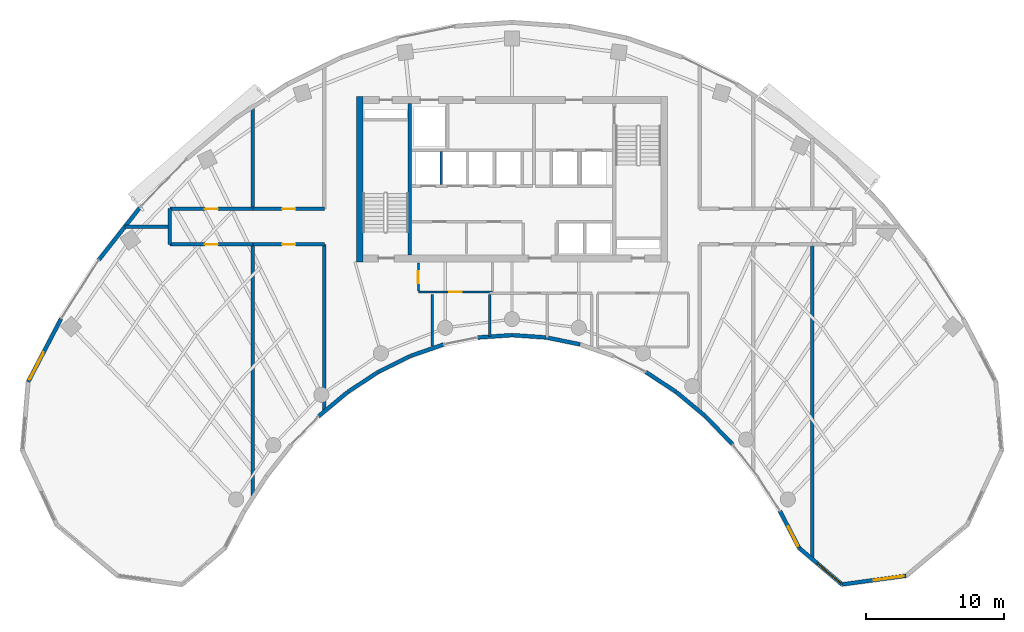
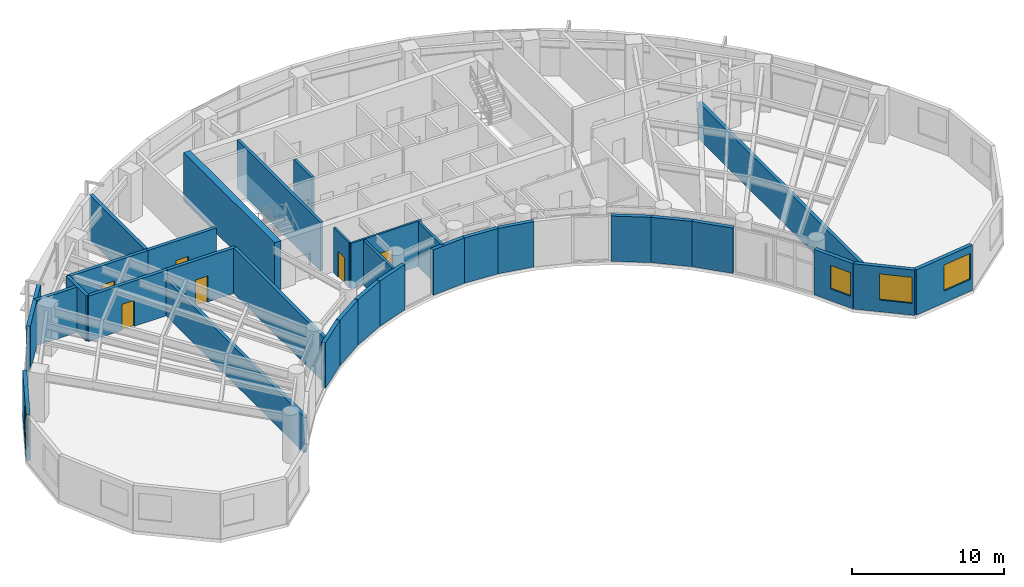
# One storey, part 8 of 13: 32 walls, 6 doors, 4 windows, 10 openings.
"""IFC4 building model written with IfcOpenShell, lengths in metres."""

from ifc_helpers import new_model, si_unit, direction, frame, frame_2d, origin, place, context, subcontext, project, spatial, rectangle, extrude, source, transform, mapped, material, layer, layer_set, type_object, type_shapes, element, fill, save


model = new_model("IFC4")

# Units and contexts
model_context = context("Model", 3, precision=1e-05, world=origin(), true_north=direction((0.0, 1.0)))
body_context = subcontext(model_context, "Body", "Model", "MODEL_VIEW")
ifc_project = project(units=[si_unit("LENGTHUNIT", "METRE"), si_unit("AREAUNIT", "SQUARE_METRE"), si_unit("VOLUMEUNIT", "CUBIC_METRE"), si_unit("PLANEANGLEUNIT", "RADIAN"), si_unit("MASSUNIT", "GRAM", prefix="KILO")], contexts=[model_context])

# Site, building, storey
site_placement = place(None, origin())
site = spatial("IfcSite", under=ifc_project, at=site_placement, CompositionType="ELEMENT")
building_placement = place(site_placement, origin())
building = spatial("IfcBuilding", under=site, at=building_placement, Name="Breltana Convention Tower", CompositionType="ELEMENT")
storey_placement = place(building_placement, frame((0.0, 0.0, 181.800048828125)))
storey = spatial("IfcBuildingStorey", under=building, at=storey_placement, Name="L44", CompositionType="ELEMENT", Elevation=181.800048828125)

# Walls
ifc_material_1 = material(Name="Concrete C60/75", Category="concrete")
ifc_layer_1 = layer(ifc_material_1, 0.5, Name="Concrete C60/75")
ifc_layer_set_1 = layer_set([ifc_layer_1], Name="Concrete C60/75")
wall_type_1 = type_object("IfcWallType", Name="SW-CORE-500", PredefinedType="SHEAR", material=ifc_layer_set_1)
shared_shape_1 = source(origin(), body_context, "Body", "SweptSolid", [
    extrude(rectangle(XDim=12.0, YDim=0.5, at=frame_2d((6.0, 0.0))), origin(), (0.0, 0.0, 1.0), 3.89990234375),
])
wall_1_placement = place(storey_placement, frame((36.949951171875, 60.199951171875, 0.0), z_axis=(0.0, 0.0, 1.0), x_axis=(0.0, 1.0, 0.0)))
element("IfcWall", 1, at=wall_1_placement, inside=storey, type_object=wall_type_1, Name="L44 West Core Shear Wall", PredefinedType="SHEAR", context=body_context, shape_type="MappedRepresentation", body=[
    mapped(shared_shape_1, transform((0.0, 0.0, 0.0), scale=1.0)),
])
ifc_material_2 = material(Name="Concrete C50/60", Category="concrete")
ifc_layer_2 = layer(ifc_material_2, 0.39990234375, Name="Concrete C50/60")
ifc_layer_set_2 = layer_set([ifc_layer_2], Name="Concrete C50/60")
wall_type_2 = type_object("IfcWallType", Name="SW-CORE-400", PredefinedType="SHEAR", material=ifc_layer_set_2)
shared_shape_2 = source(origin(), body_context, "Body", "SweptSolid", [
    extrude(rectangle(XDim=11.0, YDim=0.219970703125, at=frame_2d((5.5, 0.0))), origin(), (0.0, 0.0, 1.0), 3.89990234375),
])
wall_2_placement = place(storey_placement, frame((40.580078125, 60.699951171875, 0.0), z_axis=(0.0, 0.0, 1.0), x_axis=(0.0, 1.0, 0.0)))
element("IfcWall", 2, at=wall_2_placement, inside=storey, type_object=wall_type_2, Name="L44 Core West Stair Spine Wall", PredefinedType="SHEAR", context=body_context, shape_type="MappedRepresentation", body=[
    mapped(shared_shape_2, transform((0.0, 0.0, 0.0), scale=1.0)),
])

# Wall, opening, window
ifc_material_3 = material(Name="Limestone Buff Insulated Wall", Category="masonry")
ifc_layer_3 = layer(ifc_material_3, 0.280029296875, Name="Limestone Buff Insulated Wall")
ifc_layer_set_3 = layer_set([ifc_layer_3], Name="Limestone Buff Insulated Wall")
wall_type_3 = type_object("IfcWallType", Name="WL-EXT-NOSE-280", PredefinedType="SOLIDWALL", material=ifc_layer_set_3)
shared_shape_3 = source(origin(), body_context, "Body", "SweptSolid", [
    extrude(rectangle(XDim=4.680419921875, YDim=0.280029296875, at=frame_2d((2.34033203125, 0.0))), origin(), (0.0, 0.0, 1.0), 3.64990234375),
])
wall_3_placement = place(storey_placement, frame((76.594482421875, 37.41650390625, 0.0), z_axis=(0.0, 0.0, 1.0), x_axis=(-0.990931146435, -0.134370618162, 0.0)))
wall_3 = element("IfcWall", 3, at=wall_3_placement, inside=storey, type_object=wall_type_3, Name="L44 curved limestone nose wall E4", PredefinedType="SOLIDWALL", context=body_context, shape_type="MappedRepresentation", body=[
    mapped(shared_shape_3, transform((0.0, 0.0, 0.0), scale=1.0)),
])
opening_1_placement = place(wall_3_placement, frame((0.159912109375, 0.0, 0.949951171875)))
opening_1 = element("IfcOpeningElement", 4, at=opening_1_placement, cuts=wall_3, Name="Opening W-03", PredefinedType="OPENING", context=body_context, shape_type="SweptSolid", body=[
    extrude(rectangle(XDim=2.199951171875, YDim=2.10009765625, at=frame_2d((1.10009765625, 1.050048828125))), frame((0.0, 0.14990234375, 0.0), z_axis=(0.0, -1.0, 0.0), x_axis=(1.0, 0.0, 0.0)), (0.0, 0.0, 1.0), 0.300048828125),
])
ifc_material_4 = material(Name="Glass Low-E Insulated Window", Category="glass")
window_type_1 = type_object("IfcWindowType", Name="WN-NOSE-2200X2100", PartitioningType="TRIPLE_PANEL_VERTICAL", PredefinedType="WINDOW", material=ifc_material_4)
shared_shape_4 = source(origin(), body_context, "Body", "SweptSolid", [
    extrude(rectangle(XDim=2.199951171875, YDim=2.10009765625, at=frame_2d((1.10009765625, 1.050048828125))), frame((0.0, 0.030029296875, 0.0), z_axis=(0.0, -1.0, 0.0), x_axis=(1.0, 0.0, 0.0)), (0.0, 0.0, 1.0), 0.06005859375),
])
type_shapes(window_type_1, [shared_shape_4])
window_1_placement = place(opening_1_placement, origin())
window_1 = element("IfcWindow", 5, at=window_1_placement, inside=storey, type_object=window_type_1, Name="L44 nose window E4", OverallHeight=2.10009765625, OverallWidth=2.199951171875, PartitioningType="TRIPLE_PANEL_VERTICAL", PredefinedType="WINDOW", context=body_context, shape_type="MappedRepresentation", body=[
    mapped(shared_shape_4, transform((0.0, 0.0, 0.0), scale=1.0)),
])
fill(opening_1, window_1)

shared_shape_5 = source(origin(), body_context, "Body", "SweptSolid", [
    extrude(rectangle(XDim=4.095947265625, YDim=0.280029296875, at=frame_2d((2.0478515625, 0.0))), origin(), (0.0, 0.0, 1.0), 3.64990234375),
])
wall_4_placement = place(storey_placement, frame((71.95654296875, 36.78759765625, 0.0), z_axis=(0.0, 0.0, 1.0), x_axis=(-0.761926081737, 0.647663991564, 0.0)))
wall_4 = element("IfcWall", 6, at=wall_4_placement, inside=storey, type_object=wall_type_3, Name="L44 curved limestone nose wall E5", PredefinedType="SOLIDWALL", context=body_context, shape_type="MappedRepresentation", body=[
    mapped(shared_shape_5, transform((0.0, 0.0, 0.0), scale=1.0)),
])
opening_2_placement = place(wall_4_placement, frame((0.159912109375, 0.0, 0.949951171875)))
opening_2 = element("IfcOpeningElement", 7, at=opening_2_placement, cuts=wall_4, Name="Opening W-03", PredefinedType="OPENING", context=body_context, shape_type="SweptSolid", body=[
    extrude(rectangle(XDim=2.199951171875, YDim=2.10009765625, at=frame_2d((1.10009765625, 1.050048828125))), frame((0.0, 0.14990234375, 0.0), z_axis=(0.0, -1.0, 0.0), x_axis=(1.0, 0.0, 0.0)), (0.0, 0.0, 1.0), 0.300048828125),
])
window_2_placement = place(opening_2_placement, origin())
window_2 = element("IfcWindow", 8, at=window_2_placement, inside=storey, type_object=window_type_1, Name="L44 nose window E5", OverallHeight=2.10009765625, OverallWidth=2.199951171875, PartitioningType="TRIPLE_PANEL_VERTICAL", PredefinedType="WINDOW", context=body_context, shape_type="MappedRepresentation", body=[
    mapped(shared_shape_4, transform((0.0, 0.0, 0.0), scale=1.0)),
])
fill(opening_2, window_2)

shared_shape_6 = source(origin(), body_context, "Body", "SweptSolid", [
    extrude(rectangle(XDim=3.02392578125, YDim=0.280029296875, at=frame_2d((1.511962890625, 0.0))), origin(), (0.0, 0.0, 1.0), 3.64990234375),
])
wall_5_placement = place(storey_placement, frame((68.835693359375, 39.4404296875, 0.0), z_axis=(0.0, 0.0, 1.0), x_axis=(-0.461718746531, 0.887026380161, 0.0)))
wall_5 = element("IfcWall", 9, at=wall_5_placement, inside=storey, type_object=wall_type_3, Name="L44 curved limestone nose wall E6", PredefinedType="SOLIDWALL", context=body_context, shape_type="MappedRepresentation", body=[
    mapped(shared_shape_6, transform((0.0, 0.0, 0.0), scale=1.0)),
])
opening_3_placement = place(wall_5_placement, frame((0.159912109375, 0.0, 0.949951171875)))
opening_3 = element("IfcOpeningElement", 10, at=opening_3_placement, cuts=wall_5, Name="Opening W-04", PredefinedType="OPENING", context=body_context, shape_type="SweptSolid", body=[
    extrude(rectangle(XDim=1.60009765625, YDim=1.89990234375, at=frame_2d((0.800048828125, 0.949951171875))), frame((0.0, 0.14990234375, 0.0), z_axis=(0.0, -1.0, 0.0), x_axis=(1.0, 0.0, 0.0)), (0.0, 0.0, 1.0), 0.300048828125),
])
window_type_2 = type_object("IfcWindowType", Name="WN-NOSE-1600X1900", PartitioningType="SINGLE_PANEL", PredefinedType="WINDOW", material=ifc_material_4)
shared_shape_7 = source(origin(), body_context, "Body", "SweptSolid", [
    extrude(rectangle(XDim=1.60009765625, YDim=1.89990234375, at=frame_2d((0.800048828125, 0.949951171875))), frame((0.0, 0.030029296875, 0.0), z_axis=(0.0, -1.0, 0.0), x_axis=(1.0, 0.0, 0.0)), (0.0, 0.0, 1.0), 0.06005859375),
])
type_shapes(window_type_2, [shared_shape_7])
window_3_placement = place(opening_3_placement, origin())
window_3 = element("IfcWindow", 11, at=window_3_placement, inside=storey, type_object=window_type_2, Name="L44 nose window E6", OverallHeight=1.89990234375, OverallWidth=1.60009765625, PartitioningType="SINGLE_PANEL", PredefinedType="WINDOW", context=body_context, shape_type="MappedRepresentation", body=[
    mapped(shared_shape_7, transform((0.0, 0.0, 0.0), scale=1.0)),
])
fill(opening_3, window_3)

# Walls
shared_shape_8 = source(origin(), body_context, "Body", "SweptSolid", [
    extrude(rectangle(XDim=2.812255859375, YDim=0.280029296875, at=frame_2d((1.40625, 0.0))), origin(), (0.0, 0.0, 1.0), 3.64990234375),
])
wall_6_placement = place(storey_placement, frame((64.00830078125, 46.9501953125, 0.0), z_axis=(0.0, 0.0, 1.0), x_axis=(-0.694583668785, 0.719411931411, 0.0)))
element("IfcWall", 12, at=wall_6_placement, inside=storey, type_object=wall_type_3, Name="L44 curved limestone nose wall E7", PredefinedType="SOLIDWALL", context=body_context, shape_type="MappedRepresentation", body=[
    mapped(shared_shape_8, transform((0.0, 0.0, 0.0), scale=1.0)),
])
shared_shape_9 = source(origin(), body_context, "Body", "SweptSolid", [
    extrude(rectangle(XDim=2.7294921875, YDim=0.280029296875, at=frame_2d((1.36474609375, 0.0))), origin(), (0.0, 0.0, 1.0), 3.64990234375),
])
for number, where, z_axis, x_axis, name in (
    (13, (62.040771484375, 48.986572265625, 0.0), (0.0, 0.0, 1.0), (-0.767957284255, 0.640501061326, 0.0), "L44 curved limestone nose wall E8"),
    (14, (36.055419921875, 50.73486328125, 0.0), (0.0, 0.0, 1.0), (-0.767957284255, -0.640501061326, 0.0), "L44 curved limestone nose wall E17"),
):
    element("IfcWall", number, at=place(storey_placement, frame(where, z_axis=z_axis, x_axis=x_axis)), inside=storey, type_object=wall_type_3, Name=name, PredefinedType="SOLIDWALL", context=body_context, shape_type="MappedRepresentation", body=[
        mapped(shared_shape_9, transform((0.0, 0.0, 0.0), scale=1.0)),
    ])
shared_shape_10 = source(origin(), body_context, "Body", "SweptSolid", [
    extrude(rectangle(XDim=2.58447265625, YDim=0.280029296875, at=frame_2d((1.292236328125, 0.0))), origin(), (0.0, 0.0, 1.0), 3.64990234375),
])
wall_7_placement = place(storey_placement, frame((40.62353515625, 53.361083984375, 0.0), z_axis=(0.0, 0.0, 1.0), x_axis=(-0.895989792847, -0.44407464588, 0.0)))
element("IfcWall", 15, at=wall_7_placement, inside=storey, type_object=wall_type_3, Name="L44 curved limestone nose wall E15", PredefinedType="SOLIDWALL", context=body_context, shape_type="MappedRepresentation", body=[
    mapped(shared_shape_10, transform((0.0, 0.0, 0.0), scale=1.0)),
])
shared_shape_11 = source(origin(), body_context, "Body", "SweptSolid", [
    extrude(rectangle(XDim=2.52978515625, YDim=0.280029296875, at=frame_2d((1.264892578125, 0.0))), origin(), (0.0, 0.0, 1.0), 3.64990234375),
])
wall_8_placement = place(storey_placement, frame((43.034912109375, 54.1982421875, 0.0), z_axis=(0.0, 0.0, 1.0), x_axis=(-0.944872429646, -0.327438683872, 0.0)))
element("IfcWall", 16, at=wall_8_placement, inside=storey, type_object=wall_type_3, Name="L44 curved limestone nose wall E14", PredefinedType="SOLIDWALL", context=body_context, shape_type="MappedRepresentation", body=[
    mapped(shared_shape_11, transform((0.0, 0.0, 0.0), scale=1.0)),
])
shared_shape_12 = source(origin(), body_context, "Body", "SweptSolid", [
    extrude(rectangle(XDim=2.4912109375, YDim=0.280029296875, at=frame_2d((1.24560546875, 0.0))), origin(), (0.0, 0.0, 1.0), 3.64990234375),
])
wall_9_placement = place(storey_placement, frame((52.9423828125, 54.20458984375, 0.0), z_axis=(0.0, 0.0, 1.0), x_axis=(-0.979630885979, 0.200806691214, 0.0)))
element("IfcWall", 17, at=wall_9_placement, inside=storey, type_object=wall_type_3, Name="L44 curved limestone nose wall E11", PredefinedType="SOLIDWALL", context=body_context, shape_type="MappedRepresentation", body=[
    mapped(shared_shape_12, transform((0.0, 0.0, 0.0), scale=1.0)),
])
shared_shape_13 = source(origin(), body_context, "Body", "SweptSolid", [
    extrude(rectangle(XDim=2.471435546875, YDim=0.280029296875, at=frame_2d((1.23583984375, 0.0))), origin(), (0.0, 0.0, 1.0), 3.64990234375),
])
for number, where, z_axis, x_axis, name in (
    (18, (50.47802734375, 54.708251953125, 0.0), (0.0, 0.0, 1.0), (-0.997708006929, 0.067666335123, 0.0), "L44 curved limestone nose wall E12"),
    (19, (47.98779296875, 54.87548828125, 0.0), (0.0, 0.0, 1.0), (-0.997708006929, -0.067666335123, 0.0), "L44 curved limestone nose wall E13"),
):
    element("IfcWall", number, at=place(storey_placement, frame(where, z_axis=z_axis, x_axis=x_axis)), inside=storey, type_object=wall_type_3, Name=name, PredefinedType="SOLIDWALL", context=body_context, shape_type="MappedRepresentation", body=[
        mapped(shared_shape_13, transform((0.0, 0.0, 0.0), scale=1.0)),
    ])
shared_shape_14 = source(origin(), body_context, "Body", "SweptSolid", [
    extrude(rectangle(XDim=2.65234375, YDim=0.280029296875, at=frame_2d((1.326171875, 0.0))), origin(), (0.0, 0.0, 1.0), 3.64990234375),
])
for number, where, z_axis, x_axis, name in (
    (20, (59.92822265625, 50.7470703125, 0.0), (0.0, 0.0, 1.0), (-0.836008323535, 0.54871676025, 0.0), "L44 curved limestone nose wall E9"),
    (21, (38.2890625, 52.202392578125, 0.0), (0.0, 0.0, 1.0), (-0.836008323535, -0.54871676025, 0.0), "L44 curved limestone nose wall E16"),
):
    element("IfcWall", number, at=place(storey_placement, frame(where, z_axis=z_axis, x_axis=x_axis)), inside=storey, type_object=wall_type_3, Name=name, PredefinedType="SOLIDWALL", context=body_context, shape_type="MappedRepresentation", body=[
        mapped(shared_shape_14, transform((0.0, 0.0, 0.0), scale=1.0)),
    ])

# Wall, opening, window
shared_shape_15 = source(origin(), body_context, "Body", "SweptSolid", [
    extrude(rectangle(XDim=5.1708984375, YDim=0.280029296875, at=frame_2d((2.58544921875, 0.0))), origin(), (0.0, 0.0, 1.0), 3.64990234375),
])
wall_10_placement = place(storey_placement, frame((12.897705078125, 51.48876953125, 0.0), z_axis=(0.0, 0.0, 1.0), x_axis=(0.461752581363, 0.887008767491, 0.0)))
wall_10 = element("IfcWall", 22, at=wall_10_placement, inside=storey, type_object=wall_type_3, Name="L44 curved limestone nose wall W7", PredefinedType="SOLIDWALL", context=body_context, shape_type="MappedRepresentation", body=[
    mapped(shared_shape_15, transform((0.0, 0.0, 0.0), scale=1.0)),
])
opening_4_placement = place(wall_10_placement, frame((0.19287109375, 0.0, 0.949951171875)))
opening_4 = element("IfcOpeningElement", 23, at=opening_4_placement, cuts=wall_10, Name="Opening W-03", PredefinedType="OPENING", context=body_context, shape_type="SweptSolid", body=[
    extrude(rectangle(XDim=2.199951171875, YDim=2.10009765625, at=frame_2d((1.10009765625, 1.050048828125))), frame((0.0, 0.14990234375, 0.0), z_axis=(0.0, -1.0, 0.0), x_axis=(1.0, 0.0, 0.0)), (0.0, 0.0, 1.0), 0.300048828125),
])
window_4_placement = place(opening_4_placement, origin())
window_4 = element("IfcWindow", 24, at=window_4_placement, inside=storey, type_object=window_type_1, Name="L44 nose window W7", OverallHeight=2.10009765625, OverallWidth=2.199951171875, PartitioningType="TRIPLE_PANEL_VERTICAL", PredefinedType="WINDOW", context=body_context, shape_type="MappedRepresentation", body=[
    mapped(shared_shape_4, transform((0.0, 0.0, 0.0), scale=1.0)),
])
fill(opening_4, window_4)

# Walls
shared_shape_16 = source(origin(), body_context, "Body", "SweptSolid", [
    extrude(rectangle(XDim=4.921630859375, YDim=0.280029296875, at=frame_2d((2.4609375, 0.0))), origin(), (0.0, 0.0, 1.0), 3.64990234375),
])
wall_11_placement = place(storey_placement, frame((18.021240234375, 60.337646484375, 0.0), z_axis=(0.0, 0.0, 1.0), x_axis=(0.61817639101, 0.786039407153, 0.0)))
element("IfcWall", 25, at=wall_11_placement, inside=storey, type_object=wall_type_3, Name="L44 curved limestone nose wall E20", PredefinedType="SOLIDWALL", context=body_context, shape_type="MappedRepresentation", body=[
    mapped(shared_shape_16, transform((0.0, 0.0, 0.0), scale=1.0)),
])
ifc_material_5 = material(Name="Autoclaved Aerated Concrete Block", Category="concrete")
ifc_layer_4 = layer(ifc_material_5, 0.199951171875, Name="Autoclaved Aerated Concrete Block")
ifc_layer_set_4 = layer_set([ifc_layer_4], Name="Autoclaved Aerated Concrete Block")
wall_type_4 = type_object("IfcWallType", Name="WL-SHAFT-200", PredefinedType="SOLIDWALL", material=ifc_layer_set_4)
shared_shape_17 = source(origin(), body_context, "Body", "SweptSolid", [
    extrude(rectangle(XDim=2.39990234375, YDim=0.199951171875, at=frame_2d((1.199951171875, 0.0))), origin(), (0.0, 0.0, 1.0), 3.64990234375),
])
wall_12_placement = place(storey_placement, frame((42.8701171875, 65.800048828125, 0.0), z_axis=(0.0, 0.0, 1.0), x_axis=(0.0, 1.0, 0.0)))
element("IfcWall", 26, at=wall_12_placement, inside=storey, type_object=wall_type_4, Name="L44 interior partition W-L44-SH-M-DIV1", PredefinedType="SOLIDWALL", context=body_context, shape_type="MappedRepresentation", body=[
    mapped(shared_shape_17, transform((0.0, 0.0, 0.0), scale=1.0)),
])
ifc_material_6 = material(Name="Cement Board Wet-Area Partition")
ifc_layer_5 = layer(ifc_material_6, 0.175048828125, Name="Cement Board Wet-Area Partition")
ifc_layer_set_5 = layer_set([ifc_layer_5], Name="Cement Board Wet-Area Partition")
wall_type_5 = type_object("IfcWallType", Name="WL-WET-175", PredefinedType="PARTITIONING", material=ifc_layer_set_5)
shared_shape_18 = source(origin(), body_context, "Body", "SweptSolid", [
    extrude(rectangle(XDim=3.7626953125, YDim=0.175048828125, at=frame_2d((1.88134765625, 0.0))), origin(), (0.0, 0.0, 1.0), 3.64990234375),
])
wall_13_placement = place(storey_placement, frame((42.199951171875, 54.07861328125, 0.0), z_axis=(0.0, 0.0, 1.0), x_axis=(0.0, 1.0, 0.0)))
element("IfcWall", 27, at=wall_13_placement, inside=storey, type_object=wall_type_5, Name="L44 interior partition W-L44-WCM-W", PredefinedType="PARTITIONING", context=body_context, shape_type="MappedRepresentation", body=[
    mapped(shared_shape_18, transform((0.0, 0.0, 0.0), scale=1.0)),
])

# Wall, opening, door
ifc_material_7 = material(Name="Gypsum Acoustic Drywall Partition")
ifc_layer_6 = layer(ifc_material_7, 0.14990234375, Name="Gypsum Acoustic Drywall Partition")
ifc_layer_set_6 = layer_set([ifc_layer_6], Name="Gypsum Acoustic Drywall Partition")
wall_type_6 = type_object("IfcWallType", Name="WL-PART-150", PredefinedType="PARTITIONING", material=ifc_layer_set_6)
shared_shape_19 = source(origin(), body_context, "Body", "SweptSolid", [
    extrude(rectangle(XDim=5.400146484375, YDim=0.14990234375, at=frame_2d((2.7001953125, 0.0))), origin(), (0.0, 0.0, 1.0), 3.64990234375),
])
wall_14_placement = place(storey_placement, frame((41.199951171875, 58.0, 0.0), z_axis=(0.0, 0.0, 1.0), x_axis=(1.0, 0.0, 0.0)))
wall_14 = element("IfcWall", 28, at=wall_14_placement, inside=storey, type_object=wall_type_6, Name="L44 interior partition W-L44-CRSC-S", PredefinedType="PARTITIONING", context=body_context, shape_type="MappedRepresentation", body=[
    mapped(shared_shape_19, transform((0.0, 0.0, 0.0), scale=1.0)),
])
opening_5_placement = place(wall_14_placement, frame((2.25, 0.0, 0.0)))
opening_5 = element("IfcOpeningElement", 29, at=opening_5_placement, cuts=wall_14, Name="Opening D-19", PredefinedType="OPENING", context=body_context, shape_type="SweptSolid", body=[
    extrude(rectangle(XDim=0.89990234375, YDim=2.080078125, at=frame_2d((0.449951171875, 1.0400390625))), frame((0.0, 0.0849609375, 0.0), z_axis=(0.0, -1.0, 0.0), x_axis=(1.0, 0.0, 0.0)), (0.0, 0.0, 1.0), 0.169921875),
])
ifc_material_8 = material(Name="Timber Moisture-Resistant Door", Category="wood")
door_type_1 = type_object("IfcDoorType", Name="DR-WC-900", OperationType="NOTDEFINED", PredefinedType="DOOR", material=ifc_material_8)
shared_shape_20 = source(origin(), body_context, "Body", "SweptSolid", [
    extrude(rectangle(XDim=0.89990234375, YDim=2.080078125, at=frame_2d((0.449951171875, 1.0400390625))), frame((0.0, 0.02490234375, 0.0), z_axis=(0.0, -1.0, 0.0), x_axis=(1.0, 0.0, 0.0)), (0.0, 0.0, 1.0), 0.050048828125),
])
type_shapes(door_type_1, [shared_shape_20])
door_1_placement = place(opening_5_placement, origin())
door_1 = element("IfcDoor", 30, at=door_1_placement, inside=storey, type_object=door_type_1, Name="L44 interior door D-L44-WCM", OperationType="SINGLE_SWING_RIGHT", OverallHeight=2.080078125, OverallWidth=0.89990234375, PredefinedType="DOOR", context=body_context, shape_type="MappedRepresentation", body=[
    mapped(shared_shape_20, transform((0.0, 0.0, 0.0), scale=1.0)),
])
fill(opening_5, door_1)

shared_shape_21 = source(origin(), body_context, "Body", "SweptSolid", [
    extrude(rectangle(XDim=2.03271484375, YDim=0.14990234375, at=frame_2d((1.016357421875, 0.0))), origin(), (0.0, 0.0, 1.0), 3.64990234375),
])
wall_15_placement = place(storey_placement, frame((41.199951171875, 58.0673828125, 0.0), z_axis=(0.0, 0.0, 1.0), x_axis=(0.0, 1.0, 0.0)))
wall_15 = element("IfcWall", 31, at=wall_15_placement, inside=storey, type_object=wall_type_6, Name="L44 interior partition W-L44-CRSC-W", PredefinedType="PARTITIONING", context=body_context, shape_type="MappedRepresentation", body=[
    mapped(shared_shape_21, transform((0.0, 0.0, 0.0), scale=1.0)),
])
opening_6_placement = place(wall_15_placement, frame((0.59130859375, 0.0, 0.0)))
opening_6 = element("IfcOpeningElement", 32, at=opening_6_placement, cuts=wall_15, Name="Opening D-20", PredefinedType="OPENING", context=body_context, shape_type="SweptSolid", body=[
    extrude(rectangle(XDim=0.85009765625, YDim=2.10009765625, at=frame_2d((0.425048828125, 1.050048828125))), frame((0.0, 0.0849609375, 0.0), z_axis=(0.0, -1.0, 0.0), x_axis=(1.0, 0.0, 0.0)), (0.0, 0.0, 1.0), 0.169921875),
])
ifc_material_9 = material(Name="Steel Closet Fire Door", Category="steel")
door_type_2 = type_object("IfcDoorType", Name="DR-FD60-850", OperationType="NOTDEFINED", PredefinedType="DOOR", material=ifc_material_9)
shared_shape_22 = source(origin(), body_context, "Body", "SweptSolid", [
    extrude(rectangle(XDim=0.85009765625, YDim=2.10009765625, at=frame_2d((0.425048828125, 1.050048828125))), frame((0.0, 0.02490234375, 0.0), z_axis=(0.0, -1.0, 0.0), x_axis=(1.0, 0.0, 0.0)), (0.0, 0.0, 1.0), 0.050048828125),
])
type_shapes(door_type_2, [shared_shape_22])
door_2_placement = place(opening_6_placement, origin())
door_2 = element("IfcDoor", 33, at=door_2_placement, inside=storey, type_object=door_type_2, Name="L44 interior door D-L44-CRSC", OperationType="SINGLE_SWING_LEFT", OverallHeight=2.10009765625, OverallWidth=0.85009765625, PredefinedType="DOOR", context=body_context, shape_type="MappedRepresentation", body=[
    mapped(shared_shape_22, transform((0.0, 0.0, 0.0), scale=1.0)),
])
fill(opening_6, door_2)

# Wall
shared_shape_23 = source(origin(), body_context, "Body", "SweptSolid", [
    extrude(rectangle(XDim=3.065185546875, YDim=0.175048828125, at=frame_2d((1.53271484375, 0.0))), origin(), (0.0, 0.0, 1.0), 3.64990234375),
])
wall_16_placement = place(storey_placement, frame((46.3759765625, 54.776123046875, 0.0), z_axis=(0.0, 0.0, 1.0), x_axis=(0.0, 1.0, 0.0)))
element("IfcWall", 34, at=wall_16_placement, inside=storey, type_object=wall_type_5, Name="L44 interior partition W-L44-WCM-E", PredefinedType="PARTITIONING", context=body_context, shape_type="MappedRepresentation", body=[
    mapped(shared_shape_23, transform((0.0, 0.0, 0.0), scale=1.0)),
])

# Wall, opening, door
ifc_material_10 = material(Name="Gypsum Acoustic Double Stud Wall")
ifc_layer_7 = layer(ifc_material_10, 0.25, Name="Gypsum Acoustic Double Stud Wall")
ifc_layer_set_7 = layer_set([ifc_layer_7], Name="Gypsum Acoustic Double Stud Wall")
wall_type_7 = type_object("IfcWallType", Name="WL-ACOUSTIC-250", PredefinedType="PARTITIONING", material=ifc_layer_set_7)
shared_shape_24 = source(origin(), body_context, "Body", "SweptSolid", [
    extrude(rectangle(XDim=6.02001953125, YDim=0.25, at=frame_2d((3.010009765625, 0.0))), origin(), (0.0, 0.0, 1.0), 3.64990234375),
])
wall_17_placement = place(storey_placement, frame((23.179931640625, 64.0400390625, 0.0), z_axis=(0.0, 0.0, 1.0), x_axis=(1.0, 0.0, 0.0)))
wall_17 = element("IfcWall", 35, at=wall_17_placement, inside=storey, type_object=wall_type_7, Name="L44 interior partition W-L44-ZWN1-D", PredefinedType="PARTITIONING", context=body_context, shape_type="MappedRepresentation", body=[
    mapped(shared_shape_24, transform((0.0, 0.0, 0.0), scale=1.0)),
])
opening_7_placement = place(wall_17_placement, frame((2.534912109375, 0.0, 0.0)))
opening_7 = element("IfcOpeningElement", 36, at=opening_7_placement, cuts=wall_17, Name="Opening D-17", PredefinedType="OPENING", context=body_context, shape_type="SweptSolid", body=[
    extrude(rectangle(XDim=0.949951171875, YDim=2.10009765625, at=frame_2d((0.47509765625, 1.050048828125))), frame((0.0, 0.135009765625, 0.0), z_axis=(0.0, -1.0, 0.0), x_axis=(1.0, 0.0, 0.0)), (0.0, 0.0, 1.0), 0.27001953125),
])
ifc_material_11 = material(Name="Timber Oak Veneer Door", Category="wood")
door_type_3 = type_object("IfcDoorType", Name="DR-INT-950", OperationType="NOTDEFINED", PredefinedType="DOOR", material=ifc_material_11)
shared_shape_25 = source(origin(), body_context, "Body", "SweptSolid", [
    extrude(rectangle(XDim=0.949951171875, YDim=2.10009765625, at=frame_2d((0.47509765625, 1.050048828125))), frame((0.0, 0.02490234375, 0.0), z_axis=(0.0, -1.0, 0.0), x_axis=(1.0, 0.0, 0.0)), (0.0, 0.0, 1.0), 0.050048828125),
])
type_shapes(door_type_3, [shared_shape_25])
door_3_placement = place(opening_7_placement, origin())
door_3 = element("IfcDoor", 37, at=door_3_placement, inside=storey, type_object=door_type_3, Name="L44 interior door D-L44-ZWN1", OperationType="SINGLE_SWING_RIGHT", OverallHeight=2.10009765625, OverallWidth=0.949951171875, PredefinedType="DOOR", context=body_context, shape_type="MappedRepresentation", body=[
    mapped(shared_shape_25, transform((0.0, 0.0, 0.0), scale=1.0)),
])
fill(opening_7, door_3)

wall_18_placement = place(storey_placement, frame((23.179931640625, 61.4599609375, 0.0), z_axis=(0.0, 0.0, 1.0), x_axis=(1.0, 0.0, 0.0)))
wall_18 = element("IfcWall", 38, at=wall_18_placement, inside=storey, type_object=wall_type_7, Name="L44 interior partition W-L44-ZWS1-D", PredefinedType="PARTITIONING", context=body_context, shape_type="MappedRepresentation", body=[
    mapped(shared_shape_24, transform((0.0, 0.0, 0.0), scale=1.0)),
])
opening_8_placement = place(wall_18_placement, frame((2.534912109375, 0.0, 0.0)))
opening_8 = element("IfcOpeningElement", 39, at=opening_8_placement, cuts=wall_18, Name="Opening D-17", PredefinedType="OPENING", context=body_context, shape_type="SweptSolid", body=[
    extrude(rectangle(XDim=0.949951171875, YDim=2.10009765625, at=frame_2d((0.47509765625, 1.050048828125))), frame((0.0, 0.135009765625, 0.0), z_axis=(0.0, -1.0, 0.0), x_axis=(1.0, 0.0, 0.0)), (0.0, 0.0, 1.0), 0.27001953125),
])
door_4_placement = place(opening_8_placement, origin())
door_4 = element("IfcDoor", 40, at=door_4_placement, inside=storey, type_object=door_type_3, Name="L44 interior door D-L44-ZWS1", OperationType="SINGLE_SWING_RIGHT", OverallHeight=2.10009765625, OverallWidth=0.949951171875, PredefinedType="DOOR", context=body_context, shape_type="MappedRepresentation", body=[
    mapped(shared_shape_25, transform((0.0, 0.0, 0.0), scale=1.0)),
])
fill(opening_8, door_4)

# Wall
shared_shape_26 = source(origin(), body_context, "Body", "SweptSolid", [
    extrude(rectangle(XDim=7.365478515625, YDim=0.25, at=frame_2d((3.6826171875, 0.0))), origin(), (0.0, 0.0, 1.0), 3.64990234375),
])
wall_19_placement = place(storey_placement, frame((29.199951171875, 64.06005859375, 0.0), z_axis=(0.0, 0.0, 1.0), x_axis=(0.0, 1.0, 0.0)))
element("IfcWall", 41, at=wall_19_placement, inside=storey, type_object=wall_type_7, Name="L44 interior partition W-L44-ZWN1-E", PredefinedType="PARTITIONING", context=body_context, shape_type="MappedRepresentation", body=[
    mapped(shared_shape_26, transform((0.0, 0.0, 0.0), scale=1.0)),
])

# Wall, opening, door
shared_shape_27 = source(origin(), body_context, "Body", "SweptSolid", [
    extrude(rectangle(XDim=5.199951171875, YDim=0.25, at=frame_2d((2.60009765625, 0.0))), origin(), (0.0, 0.0, 1.0), 3.64990234375),
])
wall_20_placement = place(storey_placement, frame((29.199951171875, 64.0400390625, 0.0), z_axis=(0.0, 0.0, 1.0), x_axis=(1.0, 0.0, 0.0)))
wall_20 = element("IfcWall", 42, at=wall_20_placement, inside=storey, type_object=wall_type_7, Name="L44 interior partition W-L44-ZWN2-D", PredefinedType="PARTITIONING", context=body_context, shape_type="MappedRepresentation", body=[
    mapped(shared_shape_27, transform((0.0, 0.0, 0.0), scale=1.0)),
])
opening_9_placement = place(wall_20_placement, frame((2.125, 0.0, 0.0)))
opening_9 = element("IfcOpeningElement", 43, at=opening_9_placement, cuts=wall_20, Name="Opening D-17", PredefinedType="OPENING", context=body_context, shape_type="SweptSolid", body=[
    extrude(rectangle(XDim=0.949951171875, YDim=2.10009765625, at=frame_2d((0.47509765625, 1.050048828125))), frame((0.0, 0.135009765625, 0.0), z_axis=(0.0, -1.0, 0.0), x_axis=(1.0, 0.0, 0.0)), (0.0, 0.0, 1.0), 0.27001953125),
])
door_5_placement = place(opening_9_placement, origin())
door_5 = element("IfcDoor", 44, at=door_5_placement, inside=storey, type_object=door_type_3, Name="L44 interior door D-L44-ZWN2", OperationType="SINGLE_SWING_LEFT", OverallHeight=2.10009765625, OverallWidth=0.949951171875, PredefinedType="DOOR", context=body_context, shape_type="MappedRepresentation", body=[
    mapped(shared_shape_25, transform((0.0, 0.0, 0.0), scale=1.0)),
])
fill(opening_9, door_5)

wall_21_placement = place(storey_placement, frame((29.199951171875, 61.4599609375, 0.0), z_axis=(0.0, 0.0, 1.0), x_axis=(1.0, 0.0, 0.0)))
wall_21 = element("IfcWall", 45, at=wall_21_placement, inside=storey, type_object=wall_type_7, Name="L44 interior partition W-L44-ZWS2-D", PredefinedType="PARTITIONING", context=body_context, shape_type="MappedRepresentation", body=[
    mapped(shared_shape_27, transform((0.0, 0.0, 0.0), scale=1.0)),
])
opening_10_placement = place(wall_21_placement, frame((2.125, 0.0, 0.0)))
opening_10 = element("IfcOpeningElement", 46, at=opening_10_placement, cuts=wall_21, Name="Opening D-17", PredefinedType="OPENING", context=body_context, shape_type="SweptSolid", body=[
    extrude(rectangle(XDim=0.949951171875, YDim=2.10009765625, at=frame_2d((0.47509765625, 1.050048828125))), frame((0.0, 0.135009765625, 0.0), z_axis=(0.0, -1.0, 0.0), x_axis=(1.0, 0.0, 0.0)), (0.0, 0.0, 1.0), 0.27001953125),
])
door_6_placement = place(opening_10_placement, origin())
door_6 = element("IfcDoor", 47, at=door_6_placement, inside=storey, type_object=door_type_3, Name="L44 interior door D-L44-ZWS2", OperationType="SINGLE_SWING_LEFT", OverallHeight=2.10009765625, OverallWidth=0.949951171875, PredefinedType="DOOR", context=body_context, shape_type="MappedRepresentation", body=[
    mapped(shared_shape_25, transform((0.0, 0.0, 0.0), scale=1.0)),
])
fill(opening_10, door_6)

# Walls
shared_shape_28 = source(origin(), body_context, "Body", "SweptSolid", [
    extrude(rectangle(XDim=18.301025390625, YDim=0.25, at=frame_2d((9.150390625, 0.0))), origin(), (0.0, 0.0, 1.0), 2.94189453125),
])
wall_22_placement = place(storey_placement, frame((29.199951171875, 43.138916015625, 0.0), z_axis=(0.0, 0.0, 1.0), x_axis=(0.0, 1.0, 0.0)))
element("IfcWall", 48, at=wall_22_placement, inside=storey, type_object=wall_type_7, Name="L44 interior partition W-L44-ZWS1-E", PredefinedType="PARTITIONING", context=body_context, shape_type="MappedRepresentation", body=[
    mapped(shared_shape_28, transform((0.0, 0.0, 0.0), scale=1.0)),
])
shared_shape_29 = source(origin(), body_context, "Body", "SweptSolid", [
    extrude(rectangle(XDim=12.126220703125, YDim=0.25, at=frame_2d((6.06298828125, 0.0))), origin(), (0.0, 0.0, 1.0), 3.64990234375),
])
wall_23_placement = place(storey_placement, frame((34.360107421875, 49.333740234375, 0.0), z_axis=(0.0, 0.0, 1.0), x_axis=(0.0, 1.0, 0.0)))
element("IfcWall", 49, at=wall_23_placement, inside=storey, type_object=wall_type_7, Name="L44 interior partition W-L44-ZODD-WC", PredefinedType="PARTITIONING", context=body_context, shape_type="MappedRepresentation", body=[
    mapped(shared_shape_29, transform((0.0, 0.0, 0.0), scale=1.0)),
])
shared_shape_30 = source(origin(), body_context, "Body", "SweptSolid", [
    extrude(rectangle(XDim=22.805908203125, YDim=0.25, at=frame_2d((11.40283203125, 0.0))), origin(), (0.0, 0.0, 1.0), 2.94189453125),
])
wall_24_placement = place(storey_placement, frame((69.800048828125, 38.634033203125, 0.0), z_axis=(0.0, 0.0, 1.0), x_axis=(0.0, 1.0, 0.0)))
element("IfcWall", 50, at=wall_24_placement, inside=storey, type_object=wall_type_7, Name="L44 interior partition W-L44-ZES2-E", PredefinedType="PARTITIONING", context=body_context, shape_type="MappedRepresentation", body=[
    mapped(shared_shape_30, transform((0.0, 0.0, 0.0), scale=1.0)),
])
shared_shape_31 = source(origin(), body_context, "Body", "SweptSolid", [
    extrude(rectangle(XDim=2.6201171875, YDim=0.25, at=frame_2d((1.31005859375, 0.0))), origin(), (0.0, 0.0, 1.0), 3.64990234375),
])
wall_25_placement = place(storey_placement, frame((23.179931640625, 61.43994140625, 0.0), z_axis=(0.0, 0.0, 1.0), x_axis=(0.0, 1.0, 0.0)))
element("IfcWall", 51, at=wall_25_placement, inside=storey, type_object=wall_type_7, Name="L44 interior partition W-L44-ZFW-CAP", PredefinedType="PARTITIONING", context=body_context, shape_type="MappedRepresentation", body=[
    mapped(shared_shape_31, transform((0.0, 0.0, 0.0), scale=1.0)),
])
shared_shape_32 = source(origin(), body_context, "Body", "SweptSolid", [
    extrude(rectangle(XDim=3.248779296875, YDim=0.25, at=frame_2d((1.62451171875, 0.0))), origin(), (0.0, 0.0, 1.0), 3.64990234375),
])
wall_26_placement = place(storey_placement, frame((19.93115234375, 62.75, 0.0), z_axis=(0.0, 0.0, 1.0), x_axis=(1.0, 0.0, 0.0)))
element("IfcWall", 52, at=wall_26_placement, inside=storey, type_object=wall_type_7, Name="L44 interior partition W-L44-ZFW-EXT", PredefinedType="PARTITIONING", context=body_context, shape_type="MappedRepresentation", body=[
    mapped(shared_shape_32, transform((0.0, 0.0, 0.0), scale=1.0)),
])

save(model, "model.ifc")
